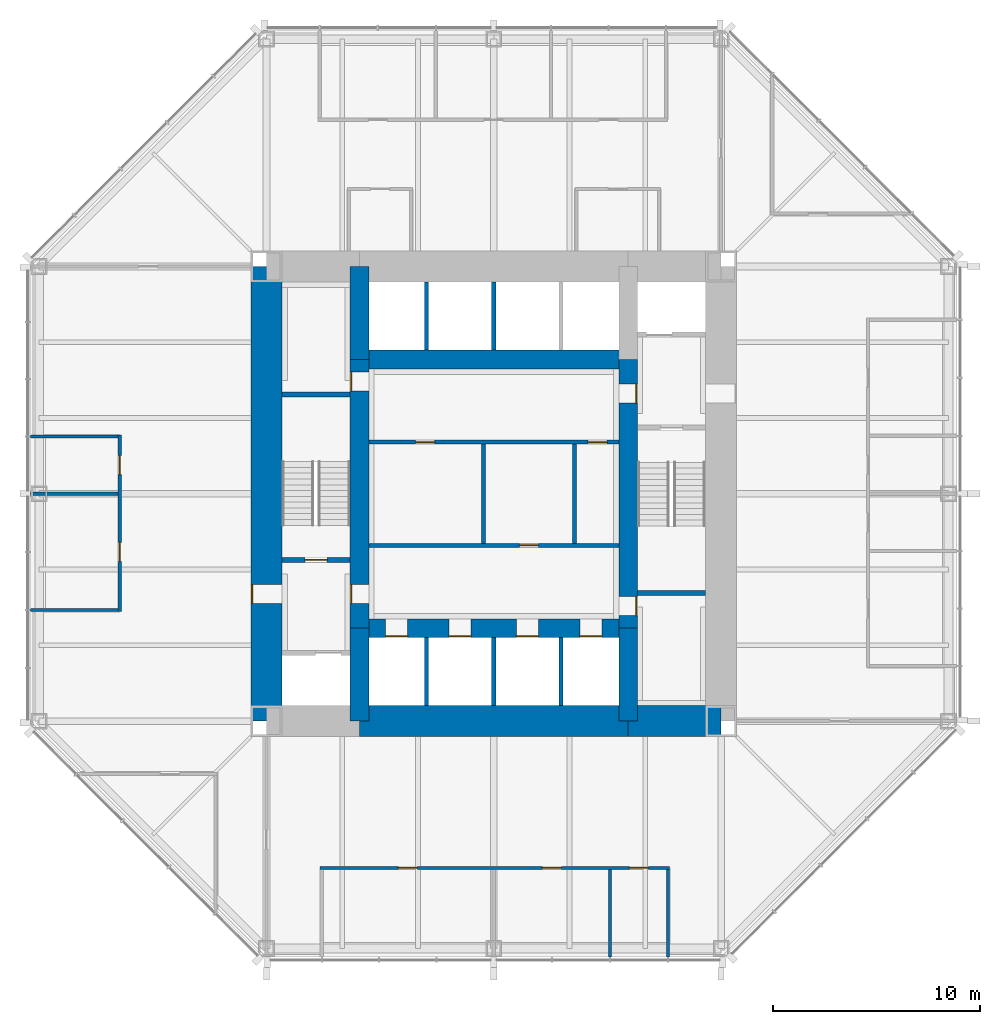
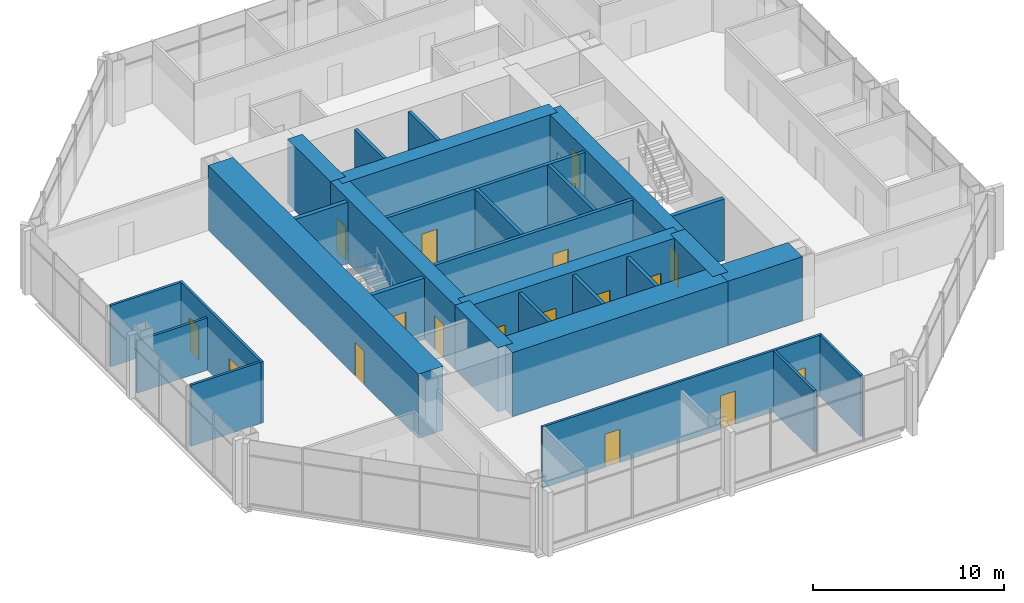
# One storey, part 9 of 12: 29 walls, 18 doors, 18 openings.
"""IFC4 building model written with IfcOpenShell, lengths in metres."""

from ifc_helpers import new_model, si_unit, direction, frame, frame_2d, origin, place, context, subcontext, project, spatial, rectangle, extrude, material, layer, layer_set, type_object, element, fill, save


model = new_model("IFC4")

# Units and contexts
model_context = context("Model", 3, precision=1e-05, world=origin(), true_north=direction((0.0, 1.0)))
body_context = subcontext(model_context, "Body", "Model", "MODEL_VIEW")
ifc_project = project(units=[si_unit("LENGTHUNIT", "METRE"), si_unit("AREAUNIT", "SQUARE_METRE"), si_unit("VOLUMEUNIT", "CUBIC_METRE"), si_unit("PLANEANGLEUNIT", "RADIAN"), si_unit("MASSUNIT", "GRAM", prefix="KILO")], contexts=[model_context])

# Site, building, storey
site_placement = place(None, origin())
site = spatial("IfcSite", under=ifc_project, at=site_placement, CompositionType="ELEMENT")
building_placement = place(site_placement, origin())
building = spatial("IfcBuilding", under=site, at=building_placement, Name="Trevanion Tower", CompositionType="ELEMENT")
storey_placement = place(building_placement, frame((0.0, 0.0, 150.0)))
storey = spatial("IfcBuildingStorey", under=building, at=storey_placement, Name="L35", CompositionType="ELEMENT", Elevation=150.0)

# Wall, opening, door
ifc_material_1 = material(Name="Concrete 10,000 psi", Category="concrete")
ifc_layer_1 = layer(ifc_material_1, 1.5)
ifc_layer_set_1 = layer_set([ifc_layer_1], Name="CW1 core wall 1500")
wall_type_1 = type_object("IfcWallType", Name="CW1 core wall 1500", PredefinedType="SHEAR", material=ifc_layer_set_1)
wall_1_placement = place(storey_placement, frame((-11.0, 11.0, 0.0), z_axis=(0.0, 0.0, 1.0), x_axis=(0.0, -1.0, 0.0)))
wall_1 = element("IfcWall", 1, at=wall_1_placement, inside=storey, type_object=wall_type_1, Name="CW1 CW L35", PredefinedType="SHEAR", context=body_context, shape_type="SweptSolid", body=[
    extrude(rectangle(XDim=22.0, YDim=1.5, at=frame_2d((11.0, 0.0))), origin(), (0.0, 0.0, 1.0), 4.10009765625),
])
opening_1_placement = place(wall_1_placement, frame((15.392578125, 0.0, 0.0)))
opening_1 = element("IfcOpeningElement", 2, at=opening_1_placement, cuts=wall_1, Name="Opening 35-002", PredefinedType="OPENING", context=body_context, shape_type="SweptSolid", body=[
    extrude(rectangle(XDim=0.9150390625, YDim=2.134033203125, at=frame_2d((0.45751953125, 1.06689453125))), frame((0.0, 0.760009765625, 0.0), z_axis=(0.0, -1.0, 0.0), x_axis=(1.0, 0.0, 0.0)), (0.0, 0.0, 1.0), 1.52001953125),
])
ifc_material_2 = material(Name="Hollow metal, fire rated", Category="steel")
door_type_1 = type_object("IfcDoorType", Name="D3 fire lift lobby door", OperationType="SINGLE_SWING_RIGHT", PredefinedType="DOOR", material=ifc_material_2)
door_1_placement = place(opening_1_placement, origin())
door_1 = element("IfcDoor", 3, at=door_1_placement, inside=storey, type_object=door_type_1, Name="Door 35-002", OperationType="SINGLE_SWING_RIGHT", OverallHeight=2.134033203125, OverallWidth=0.9150390625, PredefinedType="DOOR", context=body_context, shape_type="SweptSolid", body=[
    extrude(rectangle(XDim=0.9150390625, YDim=2.134033203125, at=frame_2d((0.45751953125, 1.06689453125))), frame((0.0, -0.6748046875, 0.0), z_axis=(0.0, -1.0, 0.0), x_axis=(1.0, 0.0, 0.0)), (0.0, 0.0, 1.0), 0.050048828125),
])
fill(opening_1, door_1)

# Walls
wall_2_placement = place(storey_placement, frame((-6.5, -11.0, 0.0), z_axis=(0.0, 0.0, 1.0), x_axis=(1.0, 0.0, 0.0)))
element("IfcWall", 4, at=wall_2_placement, inside=storey, type_object=wall_type_1, Name="CW1 CS2 L35", PredefinedType="SHEAR", context=body_context, shape_type="SweptSolid", body=[
    extrude(rectangle(XDim=13.0, YDim=1.5, at=frame_2d((6.5, 0.0))), origin(), (0.0, 0.0, 1.0), 4.10009765625),
])
wall_3_placement = place(storey_placement, frame((6.5, -11.0, 0.0), z_axis=(0.0, 0.0, 1.0), x_axis=(1.0, 0.0, 0.0)))
element("IfcWall", 5, at=wall_3_placement, inside=storey, type_object=wall_type_1, Name="CW1 CS3 L35", PredefinedType="SHEAR", context=body_context, shape_type="SweptSolid", body=[
    extrude(rectangle(XDim=4.5, YDim=1.5, at=frame_2d((2.25, 0.0))), origin(), (0.0, 0.0, 1.0), 4.10009765625),
])
ifc_material_3 = material(Name="Concrete 10,000 psi", Category="concrete")
ifc_layer_2 = layer(ifc_material_3, 0.89990234375)
ifc_layer_set_2 = layer_set([ifc_layer_2], Name="CW2 core wall 900")
wall_type_2 = type_object("IfcWallType", Name="CW2 core wall 900", PredefinedType="SHEAR", material=ifc_layer_set_2)
wall_4_placement = place(storey_placement, frame((6.5, -11.0, 0.0), z_axis=(0.0, 0.0, 1.0), x_axis=(0.0, 1.0, 0.0)))
element("IfcWall", 6, at=wall_4_placement, inside=storey, type_object=wall_type_2, Name="CW2 RE1 L35", PredefinedType="SHEAR", context=body_context, shape_type="SweptSolid", body=[
    extrude(rectangle(XDim=4.5, YDim=0.89990234375, at=frame_2d((2.25, 0.0))), origin(), (0.0, 0.0, 1.0), 4.10009765625),
])

# Wall, openings, doors
wall_5_placement = place(storey_placement, frame((6.5, -6.5, 0.0), z_axis=(0.0, 0.0, 1.0), x_axis=(0.0, 1.0, 0.0)))
wall_5 = element("IfcWall", 7, at=wall_5_placement, inside=storey, type_object=wall_type_2, Name="CW2 RE2 L35", PredefinedType="SHEAR", context=body_context, shape_type="SweptSolid", body=[
    extrude(rectangle(XDim=13.0, YDim=0.89990234375, at=frame_2d((6.5, 0.0))), origin(), (0.0, 0.0, 1.0), 4.10009765625),
])
opening_2_placement = place(wall_5_placement, frame((10.892578125, 0.0, 0.0)))
opening_2 = element("IfcOpeningElement", 8, at=opening_2_placement, cuts=wall_5, Name="Opening 35-003", PredefinedType="OPENING", context=body_context, shape_type="SweptSolid", body=[
    extrude(rectangle(XDim=0.9150390625, YDim=2.134033203125, at=frame_2d((0.45751953125, 1.06689453125))), frame((0.0, 0.4599609375, 0.0), z_axis=(0.0, -1.0, 0.0), x_axis=(1.0, 0.0, 0.0)), (0.0, 0.0, 1.0), 0.919921875),
])
opening_3_placement = place(wall_5_placement, frame((0.610107421875, 0.0, 0.0)))
opening_3 = element("IfcOpeningElement", 9, at=opening_3_placement, cuts=wall_5, Name="Opening 35-009", PredefinedType="OPENING", context=body_context, shape_type="SweptSolid", body=[
    extrude(rectangle(XDim=0.9150390625, YDim=2.134033203125, at=frame_2d((0.45751953125, 1.06689453125))), frame((0.0, 0.4599609375, 0.0), z_axis=(0.0, -1.0, 0.0), x_axis=(1.0, 0.0, 0.0)), (0.0, 0.0, 1.0), 0.919921875),
])
door_2_placement = place(opening_2_placement, origin())
door_2 = element("IfcDoor", 10, at=door_2_placement, inside=storey, type_object=door_type_1, Name="Door 35-003", OperationType="SINGLE_SWING_RIGHT", OverallHeight=2.134033203125, OverallWidth=0.9150390625, PredefinedType="DOOR", context=body_context, shape_type="SweptSolid", body=[
    extrude(rectangle(XDim=0.9150390625, YDim=2.134033203125, at=frame_2d((0.45751953125, 1.06689453125))), frame((0.0, -0.375, 0.0), z_axis=(0.0, -1.0, 0.0), x_axis=(1.0, 0.0, 0.0)), (0.0, 0.0, 1.0), 0.050048828125),
])
fill(opening_2, door_2)
ifc_material_4 = material(Name="Hollow metal, fire rated", Category="steel")
door_type_2 = type_object("IfcDoorType", Name="D5 service room door", OperationType="SINGLE_SWING_RIGHT", PredefinedType="DOOR", material=ifc_material_4)
door_3_placement = place(opening_3_placement, origin())
door_3 = element("IfcDoor", 11, at=door_3_placement, inside=storey, type_object=door_type_2, Name="Door 35-009", OperationType="SINGLE_SWING_RIGHT", OverallHeight=2.134033203125, OverallWidth=0.9150390625, PredefinedType="DOOR", context=body_context, shape_type="SweptSolid", body=[
    extrude(rectangle(XDim=0.9150390625, YDim=2.134033203125, at=frame_2d((0.45751953125, 1.06689453125))), frame((0.0, -0.375, 0.0), z_axis=(0.0, -1.0, 0.0), x_axis=(1.0, 0.0, 0.0)), (0.0, 0.0, 1.0), 0.050048828125),
])
fill(opening_3, door_3)

# Wall
wall_6_placement = place(storey_placement, frame((-6.5, 11.0, 0.0), z_axis=(0.0, 0.0, 1.0), x_axis=(0.0, -1.0, 0.0)))
element("IfcWall", 12, at=wall_6_placement, inside=storey, type_object=wall_type_2, Name="CW2 RW1 L35", PredefinedType="SHEAR", context=body_context, shape_type="SweptSolid", body=[
    extrude(rectangle(XDim=4.5, YDim=0.89990234375, at=frame_2d((2.25, 0.0))), origin(), (0.0, 0.0, 1.0), 4.10009765625),
])

# Wall, openings, doors
wall_7_placement = place(storey_placement, frame((-6.5, 6.5, 0.0), z_axis=(0.0, 0.0, 1.0), x_axis=(0.0, -1.0, 0.0)))
wall_7 = element("IfcWall", 13, at=wall_7_placement, inside=storey, type_object=wall_type_2, Name="CW2 RW2 L35", PredefinedType="SHEAR", context=body_context, shape_type="SweptSolid", body=[
    extrude(rectangle(XDim=13.0, YDim=0.89990234375, at=frame_2d((6.5, 0.0))), origin(), (0.0, 0.0, 1.0), 4.10009765625),
])
opening_4_placement = place(wall_7_placement, frame((10.892578125, 0.0, 0.0)))
opening_4 = element("IfcOpeningElement", 14, at=opening_4_placement, cuts=wall_7, Name="Opening 35-004", PredefinedType="OPENING", context=body_context, shape_type="SweptSolid", body=[
    extrude(rectangle(XDim=0.9150390625, YDim=2.134033203125, at=frame_2d((0.45751953125, 1.06689453125))), frame((0.0, 0.4599609375, 0.0), z_axis=(0.0, -1.0, 0.0), x_axis=(1.0, 0.0, 0.0)), (0.0, 0.0, 1.0), 0.919921875),
])
opening_5_placement = place(wall_7_placement, frame((0.610107421875, 0.0, 0.0)))
opening_5 = element("IfcOpeningElement", 15, at=opening_5_placement, cuts=wall_7, Name="Opening 35-010", PredefinedType="OPENING", context=body_context, shape_type="SweptSolid", body=[
    extrude(rectangle(XDim=0.9150390625, YDim=2.134033203125, at=frame_2d((0.45751953125, 1.06689453125))), frame((0.0, 0.4599609375, 0.0), z_axis=(0.0, -1.0, 0.0), x_axis=(1.0, 0.0, 0.0)), (0.0, 0.0, 1.0), 0.919921875),
])
door_4_placement = place(opening_4_placement, origin())
door_4 = element("IfcDoor", 16, at=door_4_placement, inside=storey, type_object=door_type_1, Name="Door 35-004", OperationType="SINGLE_SWING_RIGHT", OverallHeight=2.134033203125, OverallWidth=0.9150390625, PredefinedType="DOOR", context=body_context, shape_type="SweptSolid", body=[
    extrude(rectangle(XDim=0.9150390625, YDim=2.134033203125, at=frame_2d((0.45751953125, 1.06689453125))), frame((0.0, -0.375, 0.0), z_axis=(0.0, -1.0, 0.0), x_axis=(1.0, 0.0, 0.0)), (0.0, 0.0, 1.0), 0.050048828125),
])
fill(opening_4, door_4)
door_5_placement = place(opening_5_placement, origin())
door_5 = element("IfcDoor", 17, at=door_5_placement, inside=storey, type_object=door_type_2, Name="Door 35-010", OperationType="SINGLE_SWING_RIGHT", OverallHeight=2.134033203125, OverallWidth=0.9150390625, PredefinedType="DOOR", context=body_context, shape_type="SweptSolid", body=[
    extrude(rectangle(XDim=0.9150390625, YDim=2.134033203125, at=frame_2d((0.45751953125, 1.06689453125))), frame((0.0, -0.375, 0.0), z_axis=(0.0, -1.0, 0.0), x_axis=(1.0, 0.0, 0.0)), (0.0, 0.0, 1.0), 0.050048828125),
])
fill(opening_5, door_5)

# Walls
wall_8_placement = place(storey_placement, frame((-6.5, -6.5, 0.0), z_axis=(0.0, 0.0, 1.0), x_axis=(0.0, -1.0, 0.0)))
element("IfcWall", 18, at=wall_8_placement, inside=storey, type_object=wall_type_2, Name="CW2 RW3 L35", PredefinedType="SHEAR", context=body_context, shape_type="SweptSolid", body=[
    extrude(rectangle(XDim=4.5, YDim=0.89990234375, at=frame_2d((2.25, 0.0))), origin(), (0.0, 0.0, 1.0), 4.10009765625),
])
wall_9_placement = place(storey_placement, frame((6.5, 6.5, 0.0), z_axis=(0.0, 0.0, 1.0), x_axis=(-1.0, 0.0, 0.0)))
element("IfcWall", 19, at=wall_9_placement, inside=storey, type_object=wall_type_2, Name="CW2 RN L35", PredefinedType="SHEAR", context=body_context, shape_type="SweptSolid", body=[
    extrude(rectangle(XDim=13.0, YDim=0.89990234375, at=frame_2d((6.5, 0.0))), origin(), (0.0, 0.0, 1.0), 4.10009765625),
])

# Wall, openings, doors
wall_10_placement = place(storey_placement, frame((-6.5, -6.5, 0.0), z_axis=(0.0, 0.0, 1.0), x_axis=(1.0, 0.0, 0.0)))
wall_10 = element("IfcWall", 20, at=wall_10_placement, inside=storey, type_object=wall_type_2, Name="CW2 RS L35", PredefinedType="SHEAR", context=body_context, shape_type="SweptSolid", body=[
    extrude(rectangle(XDim=13.0, YDim=0.89990234375, at=frame_2d((6.5, 0.0))), origin(), (0.0, 0.0, 1.0), 4.10009765625),
])
opening_6_placement = place(wall_10_placement, frame((1.2666015625, 0.0, 0.0)))
opening_6 = element("IfcOpeningElement", 21, at=opening_6_placement, cuts=wall_10, Name="Opening 35-011", PredefinedType="OPENING", context=body_context, shape_type="SweptSolid", body=[
    extrude(rectangle(XDim=1.06689453125, YDim=2.134033203125, at=frame_2d((0.533447265625, 1.06689453125))), frame((0.0, 0.4599609375, 0.0), z_axis=(0.0, -1.0, 0.0), x_axis=(1.0, 0.0, 0.0)), (0.0, 0.0, 1.0), 0.919921875),
])
opening_7_placement = place(wall_10_placement, frame((4.341552734375, 0.0, 0.0)))
opening_7 = element("IfcOpeningElement", 22, at=opening_7_placement, cuts=wall_10, Name="Opening 35-012", PredefinedType="OPENING", context=body_context, shape_type="SweptSolid", body=[
    extrude(rectangle(XDim=1.06689453125, YDim=2.134033203125, at=frame_2d((0.533447265625, 1.06689453125))), frame((0.0, 0.4599609375, 0.0), z_axis=(0.0, -1.0, 0.0), x_axis=(1.0, 0.0, 0.0)), (0.0, 0.0, 1.0), 0.919921875),
])
opening_8_placement = place(wall_10_placement, frame((7.591552734375, 0.0, 0.0)))
opening_8 = element("IfcOpeningElement", 23, at=opening_8_placement, cuts=wall_10, Name="Opening 35-013", PredefinedType="OPENING", context=body_context, shape_type="SweptSolid", body=[
    extrude(rectangle(XDim=1.06689453125, YDim=2.134033203125, at=frame_2d((0.533447265625, 1.06689453125))), frame((0.0, 0.4599609375, 0.0), z_axis=(0.0, -1.0, 0.0), x_axis=(1.0, 0.0, 0.0)), (0.0, 0.0, 1.0), 0.919921875),
])
opening_9_placement = place(wall_10_placement, frame((10.66650390625, 0.0, 0.0)))
opening_9 = element("IfcOpeningElement", 24, at=opening_9_placement, cuts=wall_10, Name="Opening 35-014", PredefinedType="OPENING", context=body_context, shape_type="SweptSolid", body=[
    extrude(rectangle(XDim=1.06689453125, YDim=2.134033203125, at=frame_2d((0.533447265625, 1.06689453125))), frame((0.0, 0.4599609375, 0.0), z_axis=(0.0, -1.0, 0.0), x_axis=(1.0, 0.0, 0.0)), (0.0, 0.0, 1.0), 0.919921875),
])
ifc_material_5 = material(Name="Stainless steel, fire rated", Category="steel")
door_type_3 = type_object("IfcDoorType", Name="LD1 lift landing door", OperationType="SLIDING_TO_LEFT", PredefinedType="DOOR", material=ifc_material_5)
door_6_placement = place(opening_6_placement, origin())
door_6 = element("IfcDoor", 25, at=door_6_placement, inside=storey, type_object=door_type_3, Name="Door 35-011", OperationType="SLIDING_TO_LEFT", OverallHeight=2.134033203125, OverallWidth=1.06689453125, PredefinedType="DOOR", context=body_context, shape_type="SweptSolid", body=[
    extrude(rectangle(XDim=1.06689453125, YDim=2.134033203125, at=frame_2d((0.533447265625, 1.06689453125))), frame((0.0, -0.375, 0.0), z_axis=(0.0, -1.0, 0.0), x_axis=(1.0, 0.0, 0.0)), (0.0, 0.0, 1.0), 0.050048828125),
])
fill(opening_6, door_6)
door_7_placement = place(opening_7_placement, origin())
door_7 = element("IfcDoor", 26, at=door_7_placement, inside=storey, type_object=door_type_3, Name="Door 35-012", OperationType="SLIDING_TO_LEFT", OverallHeight=2.134033203125, OverallWidth=1.06689453125, PredefinedType="DOOR", context=body_context, shape_type="SweptSolid", body=[
    extrude(rectangle(XDim=1.06689453125, YDim=2.134033203125, at=frame_2d((0.533447265625, 1.06689453125))), frame((0.0, -0.375, 0.0), z_axis=(0.0, -1.0, 0.0), x_axis=(1.0, 0.0, 0.0)), (0.0, 0.0, 1.0), 0.050048828125),
])
fill(opening_7, door_7)
door_8_placement = place(opening_8_placement, origin())
door_8 = element("IfcDoor", 27, at=door_8_placement, inside=storey, type_object=door_type_3, Name="Door 35-013", OperationType="SLIDING_TO_LEFT", OverallHeight=2.134033203125, OverallWidth=1.06689453125, PredefinedType="DOOR", context=body_context, shape_type="SweptSolid", body=[
    extrude(rectangle(XDim=1.06689453125, YDim=2.134033203125, at=frame_2d((0.533447265625, 1.06689453125))), frame((0.0, -0.375, 0.0), z_axis=(0.0, -1.0, 0.0), x_axis=(1.0, 0.0, 0.0)), (0.0, 0.0, 1.0), 0.050048828125),
])
fill(opening_8, door_8)
door_9_placement = place(opening_9_placement, origin())
door_9 = element("IfcDoor", 28, at=door_9_placement, inside=storey, type_object=door_type_3, Name="Door 35-014", OperationType="SLIDING_TO_LEFT", OverallHeight=2.134033203125, OverallWidth=1.06689453125, PredefinedType="DOOR", context=body_context, shape_type="SweptSolid", body=[
    extrude(rectangle(XDim=1.06689453125, YDim=2.134033203125, at=frame_2d((0.533447265625, 1.06689453125))), frame((0.0, -0.375, 0.0), z_axis=(0.0, -1.0, 0.0), x_axis=(1.0, 0.0, 0.0)), (0.0, 0.0, 1.0), 0.050048828125),
])
fill(opening_9, door_9)

ifc_material_6 = material(Name="Gypsum board on steel studs", Category="steel")
ifc_layer_3 = layer(ifc_material_6, 0.14990234375)
ifc_layer_set_3 = layer_set([ifc_layer_3], Name="PT1 partition 150")
wall_type_3 = type_object("IfcWallType", Name="PT1 partition 150", PredefinedType="PARTITIONING", material=ifc_layer_set_3)
wall_11_placement = place(storey_placement, frame((-8.39794921875, -18.10009765625, 0.0), z_axis=(0.0, 0.0, 1.0), x_axis=(1.0, 0.0, 0.0)))
wall_11 = element("IfcWall", 29, at=wall_11_placement, inside=storey, type_object=wall_type_3, Name="PT1 L35 FC3F", PredefinedType="PARTITIONING", context=body_context, shape_type="SweptSolid", body=[
    extrude(rectangle(XDim=16.89404296875, YDim=0.14990234375, at=frame_2d((8.447021484375, 0.0))), origin(), (0.0, 0.0, 1.0), 3.909912109375),
])
opening_10_placement = place(wall_11_placement, frame((3.779052734375, 0.0, 0.0)))
opening_10 = element("IfcOpeningElement", 30, at=opening_10_placement, cuts=wall_11, Name="Opening 35-027", PredefinedType="OPENING", context=body_context, shape_type="SweptSolid", body=[
    extrude(rectangle(XDim=0.9150390625, YDim=2.134033203125, at=frame_2d((0.45751953125, 1.06689453125))), frame((0.0, 0.0849609375, 0.0), z_axis=(0.0, -1.0, 0.0), x_axis=(1.0, 0.0, 0.0)), (0.0, 0.0, 1.0), 0.169921875),
])
opening_11_placement = place(wall_11_placement, frame((10.74755859375, 0.0, 0.0)))
opening_11 = element("IfcOpeningElement", 31, at=opening_11_placement, cuts=wall_11, Name="Opening 35-028", PredefinedType="OPENING", context=body_context, shape_type="SweptSolid", body=[
    extrude(rectangle(XDim=0.9150390625, YDim=2.134033203125, at=frame_2d((0.45751953125, 1.06689453125))), frame((0.0, 0.0849609375, 0.0), z_axis=(0.0, -1.0, 0.0), x_axis=(1.0, 0.0, 0.0)), (0.0, 0.0, 1.0), 0.169921875),
])
opening_12_placement = place(wall_11_placement, frame((14.9580078125, 0.0, 0.0)))
opening_12 = element("IfcOpeningElement", 32, at=opening_12_placement, cuts=wall_11, Name="Opening 35-029", PredefinedType="OPENING", context=body_context, shape_type="SweptSolid", body=[
    extrude(rectangle(XDim=0.9150390625, YDim=2.134033203125, at=frame_2d((0.45751953125, 1.06689453125))), frame((0.0, 0.0849609375, 0.0), z_axis=(0.0, -1.0, 0.0), x_axis=(1.0, 0.0, 0.0)), (0.0, 0.0, 1.0), 0.169921875),
])
ifc_material_7 = material(Name="Timber veneer, solid core", Category="wood")
door_type_4 = type_object("IfcDoorType", Name="D1 office and meeting room door", OperationType="SINGLE_SWING_LEFT", PredefinedType="DOOR", material=ifc_material_7)
door_10_placement = place(opening_10_placement, origin())
door_10 = element("IfcDoor", 33, at=door_10_placement, inside=storey, type_object=door_type_4, Name="Door 35-027", OperationType="SINGLE_SWING_LEFT", OverallHeight=2.134033203125, OverallWidth=0.9150390625, PredefinedType="DOOR", context=body_context, shape_type="SweptSolid", body=[
    extrude(rectangle(XDim=0.9150390625, YDim=2.134033203125, at=frame_2d((0.45751953125, 1.06689453125))), frame((0.0, 0.02490234375, 0.0), z_axis=(0.0, -1.0, 0.0), x_axis=(1.0, 0.0, 0.0)), (0.0, 0.0, 1.0), 0.050048828125),
])
fill(opening_10, door_10)
door_11_placement = place(opening_11_placement, origin())
door_11 = element("IfcDoor", 34, at=door_11_placement, inside=storey, type_object=door_type_4, Name="Door 35-028", OperationType="SINGLE_SWING_LEFT", OverallHeight=2.134033203125, OverallWidth=0.9150390625, PredefinedType="DOOR", context=body_context, shape_type="SweptSolid", body=[
    extrude(rectangle(XDim=0.9150390625, YDim=2.134033203125, at=frame_2d((0.45751953125, 1.06689453125))), frame((0.0, 0.02490234375, 0.0), z_axis=(0.0, -1.0, 0.0), x_axis=(1.0, 0.0, 0.0)), (0.0, 0.0, 1.0), 0.050048828125),
])
fill(opening_11, door_11)
door_12_placement = place(opening_12_placement, origin())
door_12 = element("IfcDoor", 35, at=door_12_placement, inside=storey, type_object=door_type_4, Name="Door 35-029", OperationType="SINGLE_SWING_LEFT", OverallHeight=2.134033203125, OverallWidth=0.9150390625, PredefinedType="DOOR", context=body_context, shape_type="SweptSolid", body=[
    extrude(rectangle(XDim=0.9150390625, YDim=2.134033203125, at=frame_2d((0.45751953125, 1.06689453125))), frame((0.0, 0.02490234375, 0.0), z_axis=(0.0, -1.0, 0.0), x_axis=(1.0, 0.0, 0.0)), (0.0, 0.0, 1.0), 0.050048828125),
])
fill(opening_12, door_12)

# Walls
for number, where, z_axis, x_axis, name in (
    (36, (5.614013671875, -18.175048828125, 0.0), (0.0, 0.0, 1.0), (0.0, -1.0, 0.0), "PT1 L35 FC3S5"),
    (37, (8.4208984375, -18.175048828125, 0.0), (0.0, 0.0, 1.0), (0.0, -1.0, 0.0), "PT1 L35 FC3S6"),
):
    element("IfcWall", number, at=place(storey_placement, frame(where, z_axis=z_axis, x_axis=x_axis)), inside=storey, type_object=wall_type_3, Name=name, PredefinedType="PARTITIONING", context=body_context, shape_type="SweptSolid", body=[
        extrude(rectangle(XDim=4.239990234375, YDim=0.14990234375, at=frame_2d((2.1201171875, 0.0))), origin(), (0.0, 0.0, 1.0), 3.909912109375),
    ])

# Wall, openings, doors
wall_12_placement = place(storey_placement, frame((-18.10009765625, 2.85009765625, 0.0), z_axis=(0.0, 0.0, 1.0), x_axis=(0.0, -1.0, 0.0)))
wall_12 = element("IfcWall", 38, at=wall_12_placement, inside=storey, type_object=wall_type_3, Name="PT1 L35 FC2F", PredefinedType="PARTITIONING", context=body_context, shape_type="SweptSolid", body=[
    extrude(rectangle(XDim=8.5390625, YDim=0.14990234375, at=frame_2d((4.26953125, 0.0))), origin(), (0.0, 0.0, 1.0), 3.909912109375),
])
opening_13_placement = place(wall_12_placement, frame((1.0048828125, 0.0, 0.0)))
opening_13 = element("IfcOpeningElement", 39, at=opening_13_placement, cuts=wall_12, Name="Opening 35-034", PredefinedType="OPENING", context=body_context, shape_type="SweptSolid", body=[
    extrude(rectangle(XDim=0.9150390625, YDim=2.134033203125, at=frame_2d((0.45751953125, 1.06689453125))), frame((0.0, 0.0849609375, 0.0), z_axis=(0.0, -1.0, 0.0), x_axis=(1.0, 0.0, 0.0)), (0.0, 0.0, 1.0), 0.169921875),
])
opening_14_placement = place(wall_12_placement, frame((5.199462890625, 0.0, 0.0)))
opening_14 = element("IfcOpeningElement", 40, at=opening_14_placement, cuts=wall_12, Name="Opening 35-035", PredefinedType="OPENING", context=body_context, shape_type="SweptSolid", body=[
    extrude(rectangle(XDim=0.9150390625, YDim=2.134033203125, at=frame_2d((0.45751953125, 1.06689453125))), frame((0.0, 0.0849609375, 0.0), z_axis=(0.0, -1.0, 0.0), x_axis=(1.0, 0.0, 0.0)), (0.0, 0.0, 1.0), 0.169921875),
])
door_13_placement = place(opening_13_placement, origin())
door_13 = element("IfcDoor", 41, at=door_13_placement, inside=storey, type_object=door_type_4, Name="Door 35-034", OperationType="SINGLE_SWING_LEFT", OverallHeight=2.134033203125, OverallWidth=0.9150390625, PredefinedType="DOOR", context=body_context, shape_type="SweptSolid", body=[
    extrude(rectangle(XDim=0.9150390625, YDim=2.134033203125, at=frame_2d((0.45751953125, 1.06689453125))), frame((0.0, 0.02490234375, 0.0), z_axis=(0.0, -1.0, 0.0), x_axis=(1.0, 0.0, 0.0)), (0.0, 0.0, 1.0), 0.050048828125),
])
fill(opening_13, door_13)
door_14_placement = place(opening_14_placement, origin())
door_14 = element("IfcDoor", 42, at=door_14_placement, inside=storey, type_object=door_type_4, Name="Door 35-035", OperationType="SINGLE_SWING_LEFT", OverallHeight=2.134033203125, OverallWidth=0.9150390625, PredefinedType="DOOR", context=body_context, shape_type="SweptSolid", body=[
    extrude(rectangle(XDim=0.9150390625, YDim=2.134033203125, at=frame_2d((0.45751953125, 1.06689453125))), frame((0.0, 0.02490234375, 0.0), z_axis=(0.0, -1.0, 0.0), x_axis=(1.0, 0.0, 0.0)), (0.0, 0.0, 1.0), 0.050048828125),
])
fill(opening_14, door_14)

# Walls
wall_13_placement = place(storey_placement, frame((-18.175048828125, 2.77490234375, 0.0), z_axis=(0.0, 0.0, 1.0), x_axis=(-1.0, 0.0, 0.0)))
element("IfcWall", 43, at=wall_13_placement, inside=storey, type_object=wall_type_3, Name="PT1 L35 FC2S0", PredefinedType="PARTITIONING", context=body_context, shape_type="SweptSolid", body=[
    extrude(rectangle(XDim=4.239990234375, YDim=0.14990234375, at=frame_2d((2.1201171875, 0.0))), origin(), (0.0, 0.0, 1.0), 3.909912109375),
])
wall_14_placement = place(storey_placement, frame((-18.175048828125, 0.0, 0.0), z_axis=(0.0, 0.0, 1.0), x_axis=(-1.0, 0.0, 0.0)))
element("IfcWall", 44, at=wall_14_placement, inside=storey, type_object=wall_type_3, Name="PT1 L35 FC2S1", PredefinedType="PARTITIONING", context=body_context, shape_type="SweptSolid", body=[
    extrude(rectangle(XDim=4.239990234375, YDim=0.14990234375, at=frame_2d((2.1201171875, 0.0))), origin(), (0.0, 0.0, 1.0), 3.32568359375),
])
wall_15_placement = place(storey_placement, frame((-18.175048828125, -5.614013671875, 0.0), z_axis=(0.0, 0.0, 1.0), x_axis=(-1.0, 0.0, 0.0)))
element("IfcWall", 45, at=wall_15_placement, inside=storey, type_object=wall_type_3, Name="PT1 L35 FC2S3", PredefinedType="PARTITIONING", context=body_context, shape_type="SweptSolid", body=[
    extrude(rectangle(XDim=4.239990234375, YDim=0.14990234375, at=frame_2d((2.1201171875, 0.0))), origin(), (0.0, 0.0, 1.0), 3.909912109375),
])
ifc_material_8 = material(Name="Concrete masonry, grouted", Category="masonry")
ifc_layer_4 = layer(ifc_material_8, 0.199951171875)
ifc_layer_set_4 = layer_set([ifc_layer_4], Name="PT2 partition 200")
wall_type_4 = type_object("IfcWallType", Name="PT2 partition 200", PredefinedType="PARTITIONING", material=ifc_layer_set_4)
for number, where, z_axis, x_axis, name in (
    (46, (-0.5, -2.39990234375, 0.0), (0.0, 0.0, 1.0), (0.0, 1.0, 0.0), "PT2 L35 TP1"),
    (47, (3.89990234375, -2.39990234375, 0.0), (0.0, 0.0, 1.0), (0.0, 1.0, 0.0), "PT2 L35 TP2"),
):
    element("IfcWall", number, at=place(storey_placement, frame(where, z_axis=z_axis, x_axis=x_axis)), inside=storey, type_object=wall_type_4, Name=name, PredefinedType="PARTITIONING", context=body_context, shape_type="SweptSolid", body=[
        extrude(rectangle(XDim=4.7998046875, YDim=0.199951171875, at=frame_2d((2.39990234375, 0.0))), origin(), (0.0, 0.0, 1.0), 3.909912109375),
    ])

# Wall, openings, doors
ifc_material_9 = material(Name="Concrete masonry, grouted", Category="masonry")
ifc_layer_5 = layer(ifc_material_9, 0.199951171875)
ifc_layer_set_5 = layer_set([ifc_layer_5], Name="PT2 partition 200 1 HR")
wall_type_5 = type_object("IfcWallType", Name="PT2 partition 200 1 HR", PredefinedType="PARTITIONING", material=ifc_layer_set_5)
wall_16_placement = place(storey_placement, frame((-6.050048828125, 2.5, 0.0), z_axis=(0.0, 0.0, 1.0), x_axis=(1.0, 0.0, 0.0)))
wall_16 = element("IfcWall", 48, at=wall_16_placement, inside=storey, type_object=wall_type_5, Name="PT2 L35 CP1", PredefinedType="PARTITIONING", context=body_context, shape_type="SweptSolid", body=[
    extrude(rectangle(XDim=12.10009765625, YDim=0.199951171875, at=frame_2d((6.050048828125, 0.0))), origin(), (0.0, 0.0, 1.0), 3.909912109375),
])
opening_15_placement = place(wall_16_placement, frame((2.267578125, 0.0, 0.0)))
opening_15 = element("IfcOpeningElement", 49, at=opening_15_placement, cuts=wall_16, Name="Opening 35-015", PredefinedType="OPENING", context=body_context, shape_type="SweptSolid", body=[
    extrude(rectangle(XDim=0.9150390625, YDim=2.134033203125, at=frame_2d((0.45751953125, 1.06689453125))), frame((0.0, 0.10986328125, 0.0), z_axis=(0.0, -1.0, 0.0), x_axis=(1.0, 0.0, 0.0)), (0.0, 0.0, 1.0), 0.219970703125),
])
opening_16_placement = place(wall_16_placement, frame((10.617431640625, 0.0, 0.0)))
opening_16 = element("IfcOpeningElement", 50, at=opening_16_placement, cuts=wall_16, Name="Opening 35-017", PredefinedType="OPENING", context=body_context, shape_type="SweptSolid", body=[
    extrude(rectangle(XDim=0.9150390625, YDim=2.134033203125, at=frame_2d((0.45751953125, 1.06689453125))), frame((0.0, 0.10986328125, 0.0), z_axis=(0.0, -1.0, 0.0), x_axis=(1.0, 0.0, 0.0)), (0.0, 0.0, 1.0), 0.219970703125),
])
ifc_material_10 = material(Name="Plastic laminate on fire-rated core", Category="wood")
door_type_5 = type_object("IfcDoorType", Name="D12 toilet door in a one hour wall", OperationType="SINGLE_SWING_LEFT", PredefinedType="DOOR", material=ifc_material_10)
door_15_placement = place(opening_15_placement, origin())
door_15 = element("IfcDoor", 51, at=door_15_placement, inside=storey, type_object=door_type_5, Name="Door 35-015", OperationType="SINGLE_SWING_LEFT", OverallHeight=2.134033203125, OverallWidth=0.9150390625, PredefinedType="DOOR", context=body_context, shape_type="SweptSolid", body=[
    extrude(rectangle(XDim=0.9150390625, YDim=2.134033203125, at=frame_2d((0.45751953125, 1.06689453125))), frame((0.0, 0.02490234375, 0.0), z_axis=(0.0, -1.0, 0.0), x_axis=(1.0, 0.0, 0.0)), (0.0, 0.0, 1.0), 0.050048828125),
])
fill(opening_15, door_15)
door_16_placement = place(opening_16_placement, origin())
door_16 = element("IfcDoor", 52, at=door_16_placement, inside=storey, type_object=door_type_5, Name="Door 35-017", OperationType="SINGLE_SWING_LEFT", OverallHeight=2.134033203125, OverallWidth=0.9150390625, PredefinedType="DOOR", context=body_context, shape_type="SweptSolid", body=[
    extrude(rectangle(XDim=0.9150390625, YDim=2.134033203125, at=frame_2d((0.45751953125, 1.06689453125))), frame((0.0, 0.02490234375, 0.0), z_axis=(0.0, -1.0, 0.0), x_axis=(1.0, 0.0, 0.0)), (0.0, 0.0, 1.0), 0.050048828125),
])
fill(opening_16, door_16)

# Wall, opening, door
wall_17_placement = place(storey_placement, frame((6.050048828125, -2.5, 0.0), z_axis=(0.0, 0.0, 1.0), x_axis=(-1.0, 0.0, 0.0)))
wall_17 = element("IfcWall", 53, at=wall_17_placement, inside=storey, type_object=wall_type_5, Name="PT2 L35 CP2", PredefinedType="PARTITIONING", context=body_context, shape_type="SweptSolid", body=[
    extrude(rectangle(XDim=12.10009765625, YDim=0.199951171875, at=frame_2d((6.050048828125, 0.0))), origin(), (0.0, 0.0, 1.0), 3.909912109375),
])
opening_17_placement = place(wall_17_placement, frame((3.892578125, 0.0, 0.0)))
opening_17 = element("IfcOpeningElement", 54, at=opening_17_placement, cuts=wall_17, Name="Opening 35-016", PredefinedType="OPENING", context=body_context, shape_type="SweptSolid", body=[
    extrude(rectangle(XDim=0.9150390625, YDim=2.134033203125, at=frame_2d((0.45751953125, 1.06689453125))), frame((0.0, 0.10986328125, 0.0), z_axis=(0.0, -1.0, 0.0), x_axis=(1.0, 0.0, 0.0)), (0.0, 0.0, 1.0), 0.219970703125),
])
door_17_placement = place(opening_17_placement, origin())
door_17 = element("IfcDoor", 55, at=door_17_placement, inside=storey, type_object=door_type_5, Name="Door 35-016", OperationType="SINGLE_SWING_LEFT", OverallHeight=2.134033203125, OverallWidth=0.9150390625, PredefinedType="DOOR", context=body_context, shape_type="SweptSolid", body=[
    extrude(rectangle(XDim=0.9150390625, YDim=2.134033203125, at=frame_2d((0.45751953125, 1.06689453125))), frame((0.0, 0.02490234375, 0.0), z_axis=(0.0, -1.0, 0.0), x_axis=(1.0, 0.0, 0.0)), (0.0, 0.0, 1.0), 0.050048828125),
])
fill(opening_17, door_17)

# Walls
ifc_material_11 = material(Name="Concrete masonry, grouted", Category="masonry")
ifc_layer_6 = layer(ifc_material_11, 0.199951171875)
ifc_layer_set_6 = layer_set([ifc_layer_6], Name="PT2 partition 200 2 HR")
wall_type_6 = type_object("IfcWallType", Name="PT2 partition 200 2 HR", PredefinedType="PARTITIONING", material=ifc_layer_set_6)
for number, where, z_axis, x_axis, name in (
    (56, (-3.25, 6.949951171875, 0.0), (0.0, 0.0, 1.0), (0.0, 1.0, 0.0), "PT2 L35 NS0"),
    (57, (0.0, 6.949951171875, 0.0), (0.0, 0.0, 1.0), (0.0, 1.0, 0.0), "PT2 L35 NS1"),
    (58, (-3.25, -10.25, 0.0), (0.0, 0.0, 1.0), (0.0, 1.0, 0.0), "PT2 L35 SS0"),
    (59, (0.0, -10.25, 0.0), (0.0, 0.0, 1.0), (0.0, 1.0, 0.0), "PT2 L35 SS1"),
    (60, (3.25, -10.25, 0.0), (0.0, 0.0, 1.0), (0.0, 1.0, 0.0), "PT2 L35 SS2"),
):
    element("IfcWall", number, at=place(storey_placement, frame(where, z_axis=z_axis, x_axis=x_axis)), inside=storey, type_object=wall_type_6, Name=name, PredefinedType="PARTITIONING", context=body_context, shape_type="SweptSolid", body=[
        extrude(rectangle(XDim=3.300048828125, YDim=0.199951171875, at=frame_2d((1.64990234375, 0.0))), origin(), (0.0, 0.0, 1.0), 3.909912109375),
    ])
ifc_material_12 = material(Name="Reinforced masonry, fully grouted", Category="masonry")
ifc_layer_7 = layer(ifc_material_12, 0.25)
ifc_layer_set_7 = layer_set([ifc_layer_7], Name="SW1 stair shaft wall 250")
wall_type_7 = type_object("IfcWallType", Name="SW1 stair shaft wall 250", PredefinedType="SOLIDWALL", material=ifc_layer_set_7)
for number, where, z_axis, x_axis, name in (
    (61, (6.949951171875, -4.800048828125, 0.0), (0.0, 0.0, 1.0), (1.0, 0.0, 0.0), "SW1 L35 EP1"),
    (62, (-6.949951171875, 4.800048828125, 0.0), (0.0, 0.0, 1.0), (-1.0, 0.0, 0.0), "SW1 L35 WP1"),
):
    element("IfcWall", number, at=place(storey_placement, frame(where, z_axis=z_axis, x_axis=x_axis)), inside=storey, type_object=wall_type_7, Name=name, PredefinedType="SOLIDWALL", context=body_context, shape_type="SweptSolid", body=[
        extrude(rectangle(XDim=3.300048828125, YDim=0.25, at=frame_2d((1.64990234375, 0.0))), origin(), (0.0, 0.0, 1.0), 3.909912109375),
    ])

# Wall, opening, door
wall_18_placement = place(storey_placement, frame((-6.949951171875, -3.199951171875, 0.0), z_axis=(0.0, 0.0, 1.0), x_axis=(-1.0, 0.0, 0.0)))
wall_18 = element("IfcWall", 63, at=wall_18_placement, inside=storey, type_object=wall_type_7, Name="SW1 L35 WP2", PredefinedType="SOLIDWALL", context=body_context, shape_type="SweptSolid", body=[
    extrude(rectangle(XDim=3.300048828125, YDim=0.25, at=frame_2d((1.64990234375, 0.0))), origin(), (0.0, 0.0, 1.0), 3.909912109375),
])
opening_18_placement = place(wall_18_placement, frame((1.116455078125, 0.0, 0.0)))
opening_18 = element("IfcOpeningElement", 64, at=opening_18_placement, cuts=wall_18, Name="Opening 35-006", PredefinedType="OPENING", context=body_context, shape_type="SweptSolid", body=[
    extrude(rectangle(XDim=1.06689453125, YDim=2.134033203125, at=frame_2d((0.533447265625, 1.06689453125))), frame((0.0, 0.135009765625, 0.0), z_axis=(0.0, -1.0, 0.0), x_axis=(1.0, 0.0, 0.0)), (0.0, 0.0, 1.0), 0.27001953125),
])
ifc_material_13 = material(Name="Hollow metal, fire rated", Category="steel")
door_type_6 = type_object("IfcDoorType", Name="D2 exit stair door", OperationType="SINGLE_SWING_LEFT", PredefinedType="DOOR", material=ifc_material_13)
door_18_placement = place(opening_18_placement, origin())
door_18 = element("IfcDoor", 65, at=door_18_placement, inside=storey, type_object=door_type_6, Name="Door 35-006", OperationType="SINGLE_SWING_LEFT", OverallHeight=2.134033203125, OverallWidth=1.06689453125, PredefinedType="DOOR", context=body_context, shape_type="SweptSolid", body=[
    extrude(rectangle(XDim=1.06689453125, YDim=2.134033203125, at=frame_2d((0.533447265625, 1.06689453125))), frame((0.0, 0.02490234375, 0.0), z_axis=(0.0, -1.0, 0.0), x_axis=(1.0, 0.0, 0.0)), (0.0, 0.0, 1.0), 0.050048828125),
])
fill(opening_18, door_18)

save(model, "model.ifc")
